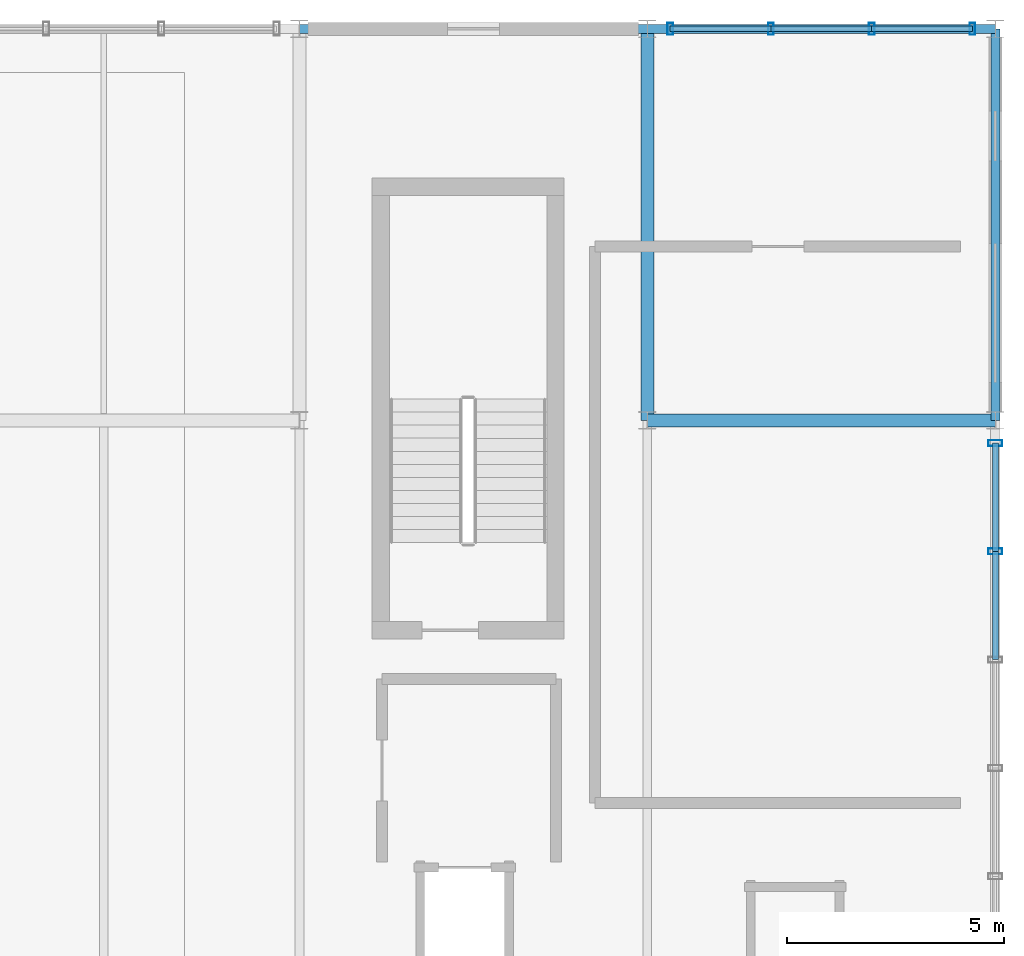
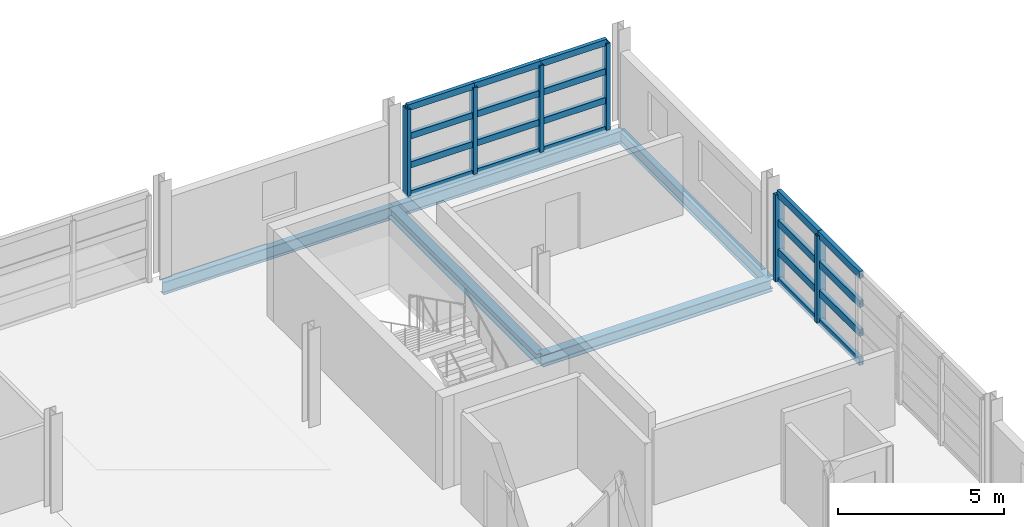
# One storey, part 82 of 116: 26 members, 5 beams, 2 elements without a shape of their own.
"""IFC4 building model written with IfcOpenShell, lengths in metres."""

from ifc_helpers import new_model, si_unit, direction, frame, origin, origin_2d, place, context, subcontext, project, spatial, hollow_rectangle, i_section, extrude, material, material_profile, profile_set, type_object, element, aggregate, save


model = new_model("IFC4")

# Units and contexts
model_context = context("Model", 3, precision=1e-05, world=origin(), true_north=direction((0.0, 1.0)))
body_context = subcontext(model_context, "Body", "Model", "MODEL_VIEW")
ifc_project = project(units=[si_unit("LENGTHUNIT", "METRE"), si_unit("AREAUNIT", "SQUARE_METRE"), si_unit("VOLUMEUNIT", "CUBIC_METRE"), si_unit("PLANEANGLEUNIT", "RADIAN"), si_unit("MASSUNIT", "GRAM", prefix="KILO")], contexts=[model_context])

# Site, building, storey
site_placement = place(None, origin())
site = spatial("IfcSite", under=ifc_project, at=site_placement, CompositionType="ELEMENT")
building_placement = place(site_placement, origin())
building = spatial("IfcBuilding", under=site, at=building_placement, Name="Chuanluo Vaults Station", CompositionType="ELEMENT")
storey_placement = place(building_placement, frame((0.0, 0.0, 10.800048828125)))
storey = spatial("IfcBuildingStorey", under=building, at=storey_placement, Name="L02", CompositionType="ELEMENT", Elevation=10.800048828125)

# Beams
ifc_material_1 = material(Name="Steel Q355C", Category="steel")
ifc_material_profile_1 = material_profile(ifc_material_1, i_section(OverallWidth=0.300048828125, OverallDepth=0.389892578125, WebThickness=0.010009765625, FlangeThickness=0.01611328125, FilletRadius=0.02001953125, at=origin_2d()))
ifc_profile_set_1 = profile_set([ifc_material_profile_1], Name="Steel Q355C")
beam_type_1 = type_object("IfcBeamType", Name="BM-GRD-400", PredefinedType="BEAM", material=ifc_profile_set_1)
beam_1_placement = place(storey_placement, frame((180.0, 117.0, -0.4150390625), z_axis=(0.0, 1.0, 0.0), x_axis=(-1.0, 0.0, 0.0)))
element("IfcBeam", 1, at=beam_1_placement, inside=storey, type_object=beam_type_1, Name="Floor girder BM:GY:L02:0698", PredefinedType="BEAM", context=body_context, shape_type="SweptSolid", body=[
    extrude(i_section(OverallWidth=0.300048828125, OverallDepth=0.389892578125, WebThickness=0.010009765625, FlangeThickness=0.01611328125, FilletRadius=0.02001953125, at=origin_2d()), origin(), (0.0, 0.0, 1.0), 9.0),
])
ifc_material_2 = material(Name="Steel Q355C", Category="steel")
ifc_material_profile_2 = material_profile(ifc_material_2, i_section(OverallWidth=0.300048828125, OverallDepth=0.43994140625, WebThickness=0.010986328125, FlangeThickness=0.01806640625, FilletRadius=0.02001953125, at=origin_2d()))
ifc_profile_set_2 = profile_set([ifc_material_profile_2], Name="Steel Q355C")
beam_type_2 = type_object("IfcBeamType", Name="BM-GRD-450", PredefinedType="USERDEFINED", material=ifc_profile_set_2)
beam_2_placement = place(storey_placement, frame((180.0, 117.0, -0.43994140625), z_axis=(1.0, 0.0, 0.0), x_axis=(0.0, 1.0, 0.0)))
element("IfcBeam", 2, at=beam_2_placement, inside=storey, type_object=beam_type_2, Name="Floor girder BM:GX:L02:0611", ObjectType="GIRDER", PredefinedType="USERDEFINED", context=body_context, shape_type="SweptSolid", body=[
    extrude(i_section(OverallWidth=0.300048828125, OverallDepth=0.43994140625, WebThickness=0.010986328125, FlangeThickness=0.01806640625, FilletRadius=0.02001953125, at=origin_2d()), origin(), (0.0, 0.0, 1.0), 8.0),
])
ifc_material_3 = material(Name="Steel Q355C", Category="steel")
ifc_material_profile_3 = material_profile(ifc_material_3, i_section(OverallWidth=0.205078125, OverallDepth=0.4599609375, WebThickness=0.009033203125, FlangeThickness=0.013916015625, FilletRadius=0.01611328125, at=origin_2d()))
ifc_profile_set_3 = profile_set([ifc_material_profile_3], Name="Steel Q355C")
beam_type_3 = type_object("IfcBeamType", Name="BM-SPN-450", PredefinedType="SPANDREL", material=ifc_profile_set_3)
for number, where, z_axis, x_axis, name in (
    (3, (172.0, 126.0, -0.449951171875), (1.0, 0.0, 0.0), (0.0, 1.0, 0.0), "Floor girder BM:GX:L02:0618"),
    (4, (180.0, 126.0, -0.449951171875), (1.0, 0.0, 0.0), (0.0, 1.0, 0.0), "Floor girder BM:GX:L02:0619"),
):
    element("IfcBeam", number, at=place(storey_placement, frame(where, z_axis=z_axis, x_axis=x_axis)), inside=storey, type_object=beam_type_3, Name=name, PredefinedType="SPANDREL", context=body_context, shape_type="SweptSolid", body=[
        extrude(i_section(OverallWidth=0.205078125, OverallDepth=0.4599609375, WebThickness=0.009033203125, FlangeThickness=0.013916015625, FilletRadius=0.01611328125, at=origin_2d()), origin(), (0.0, 0.0, 1.0), 8.0),
    ])
beam_3_placement = place(storey_placement, frame((188.0, 117.0, -0.449951171875), z_axis=(0.0, 1.0, 0.0), x_axis=(-1.0, 0.0, 0.0)))
element("IfcBeam", 5, at=beam_3_placement, inside=storey, type_object=beam_type_3, Name="Floor girder BM:GY:L02:0710", PredefinedType="SPANDREL", context=body_context, shape_type="SweptSolid", body=[
    extrude(i_section(OverallWidth=0.205078125, OverallDepth=0.4599609375, WebThickness=0.009033203125, FlangeThickness=0.013916015625, FilletRadius=0.01611328125, at=origin_2d()), origin(), (0.0, 0.0, 1.0), 9.0),
])

# Curtain wall, members
ifc_material_4 = material(Name="Anodised aluminium 6063-T6", Category="aluminium")
curtain_wall_type_1 = type_object("IfcCurtainWallType", Name="CW-SYS-14", PredefinedType="NOTDEFINED", material=ifc_material_4)
curtain_wall_1_placement = place(storey_placement, origin())
curtain_wall_1 = element("IfcCurtainWall", 6, at=curtain_wall_1_placement, inside=storey, type_object=curtain_wall_type_1, Name="Operations L02 facade CW", PredefinedType="NOTDEFINED")
ifc_material_5 = material(Name="Anodised aluminium 6063-T6", Category="aluminium")
ifc_material_profile_4 = material_profile(ifc_material_5, hollow_rectangle(XDim=0.1298828125, YDim=0.280029296875, WallThickness=0.007080078125, at=origin_2d()))
ifc_profile_set_4 = profile_set([ifc_material_profile_4], Name="Anodised aluminium 6063-T6")
member_type_1 = type_object("IfcMemberType", Name="CWM-180", PredefinedType="MULLION", material=ifc_profile_set_4)
member_1_placement = place(storey_placement, frame((180.52490234375, 126.0, 0.0), z_axis=(0.0, 0.0, 1.0), x_axis=(1.0, 0.0, 0.0)))
member_1 = element("IfcMember", 7, at=member_1_placement, type_object=member_type_1, Name="Operations L02 facade CW mullion 1", PredefinedType="MULLION", context=body_context, shape_type="SweptSolid", body=[
    extrude(hollow_rectangle(XDim=0.1298828125, YDim=0.280029296875, WallThickness=0.007080078125, at=origin_2d()), origin(), (0.0, 0.0, 1.0), 3.199951171875),
])
member_2_placement = place(storey_placement, frame((182.841796875, 126.0, 0.0), z_axis=(0.0, 0.0, 1.0), x_axis=(1.0, 0.0, 0.0)))
member_2 = element("IfcMember", 8, at=member_2_placement, type_object=member_type_1, Name="Operations L02 facade CW mullion 2", PredefinedType="MULLION", context=body_context, shape_type="SweptSolid", body=[
    extrude(hollow_rectangle(XDim=0.1298828125, YDim=0.280029296875, WallThickness=0.007080078125, at=origin_2d()), origin(), (0.0, 0.0, 1.0), 3.199951171875),
])
member_3_placement = place(storey_placement, frame((185.158203125, 126.0, 0.0), z_axis=(0.0, 0.0, 1.0), x_axis=(1.0, 0.0, 0.0)))
member_3 = element("IfcMember", 9, at=member_3_placement, type_object=member_type_1, Name="Operations L02 facade CW mullion 3", PredefinedType="MULLION", context=body_context, shape_type="SweptSolid", body=[
    extrude(hollow_rectangle(XDim=0.1298828125, YDim=0.280029296875, WallThickness=0.007080078125, at=origin_2d()), origin(), (0.0, 0.0, 1.0), 3.199951171875),
])
member_4_placement = place(storey_placement, frame((187.47509765625, 126.0, 0.0), z_axis=(0.0, 0.0, 1.0), x_axis=(1.0, 0.0, 0.0)))
member_4 = element("IfcMember", 10, at=member_4_placement, type_object=member_type_1, Name="Operations L02 facade CW mullion 4", PredefinedType="MULLION", context=body_context, shape_type="SweptSolid", body=[
    extrude(hollow_rectangle(XDim=0.1298828125, YDim=0.280029296875, WallThickness=0.007080078125, at=origin_2d()), origin(), (0.0, 0.0, 1.0), 3.199951171875),
])

ifc_material_6 = material(Name="Anodised aluminium 6063-T6", Category="aluminium")
curtain_wall_type_2 = type_object("IfcCurtainWallType", Name="CW-SYS-17", PredefinedType="NOTDEFINED", material=ifc_material_6)
curtain_wall_2_placement = place(storey_placement, origin())
curtain_wall_2 = element("IfcCurtainWall", 11, at=curtain_wall_2_placement, inside=storey, type_object=curtain_wall_type_2, Name="Operations L02 facade CW", PredefinedType="NOTDEFINED")
ifc_material_7 = material(Name="Anodised aluminium 6063-T6", Category="aluminium")
ifc_material_profile_5 = material_profile(ifc_material_7, hollow_rectangle(XDim=0.139892578125, YDim=0.320068359375, WallThickness=0.008056640625, at=origin_2d()))
ifc_profile_set_5 = profile_set([ifc_material_profile_5], Name="Anodised aluminium 6063-T6")
member_type_2 = type_object("IfcMemberType", Name="CWM-220", PredefinedType="MULLION", material=ifc_profile_set_5)
member_5_placement = place(storey_placement, frame((188.0, 116.47509765625, 0.0), z_axis=(0.0, 0.0, 1.0), x_axis=(0.0, -1.0, 0.0)))
member_5 = element("IfcMember", 12, at=member_5_placement, type_object=member_type_2, Name="Operations L02 facade CW mullion 1", PredefinedType="MULLION", context=body_context, shape_type="SweptSolid", body=[
    extrude(hollow_rectangle(XDim=0.139892578125, YDim=0.320068359375, WallThickness=0.008056640625, at=origin_2d()), origin(), (0.0, 0.0, 1.0), 3.199951171875),
])
member_6_placement = place(storey_placement, frame((188.0, 113.985107421875, 0.0), z_axis=(0.0, 0.0, 1.0), x_axis=(0.0, -1.0, 0.0)))
member_6 = element("IfcMember", 13, at=member_6_placement, type_object=member_type_2, Name="Operations L02 facade CW mullion 2", PredefinedType="MULLION", context=body_context, shape_type="SweptSolid", body=[
    extrude(hollow_rectangle(XDim=0.139892578125, YDim=0.320068359375, WallThickness=0.008056640625, at=origin_2d()), origin(), (0.0, 0.0, 1.0), 3.199951171875),
])

# Member
ifc_material_8 = material(Name="Anodised aluminium 6063-T6", Category="aluminium")
ifc_material_profile_6 = material_profile(ifc_material_8, hollow_rectangle(XDim=0.1298828125, YDim=0.22998046875, WallThickness=0.006103515625, at=origin_2d()))
ifc_profile_set_6 = profile_set([ifc_material_profile_6], Name="Anodised aluminium 6063-T6")
member_type_3 = type_object("IfcMemberType", Name="CWT-150", PredefinedType="USERDEFINED", material=ifc_profile_set_6)
member_7_placement = place(storey_placement, frame((180.52490234375, 126.0, 0.0), z_axis=(1.0, 0.0, 0.0), x_axis=(0.0, 1.0, 0.0)))
member_7 = element("IfcMember", 14, at=member_7_placement, type_object=member_type_3, Name="Operations L02 facade CW transom 1.1", ObjectType="TRANSOM", PredefinedType="USERDEFINED", context=body_context, shape_type="SweptSolid", body=[
    extrude(hollow_rectangle(XDim=0.1298828125, YDim=0.22998046875, WallThickness=0.006103515625, at=origin_2d()), origin(), (0.0, 0.0, 1.0), 2.31689453125),
])

member_8_placement = place(storey_placement, frame((180.52490234375, 126.0, 1.066650390625), z_axis=(1.0, 0.0, 0.0), x_axis=(0.0, 1.0, 0.0)))
member_8 = element("IfcMember", 15, at=member_8_placement, type_object=member_type_3, Name="Operations L02 facade CW transom 1.2", ObjectType="TRANSOM", PredefinedType="USERDEFINED", context=body_context, shape_type="SweptSolid", body=[
    extrude(hollow_rectangle(XDim=0.1298828125, YDim=0.22998046875, WallThickness=0.006103515625, at=origin_2d()), origin(), (0.0, 0.0, 1.0), 2.31689453125),
])

member_9_placement = place(storey_placement, frame((180.52490234375, 126.0, 2.13330078125), z_axis=(1.0, 0.0, 0.0), x_axis=(0.0, 1.0, 0.0)))
member_9 = element("IfcMember", 16, at=member_9_placement, type_object=member_type_3, Name="Operations L02 facade CW transom 1.3", ObjectType="TRANSOM", PredefinedType="USERDEFINED", context=body_context, shape_type="SweptSolid", body=[
    extrude(hollow_rectangle(XDim=0.1298828125, YDim=0.22998046875, WallThickness=0.006103515625, at=origin_2d()), origin(), (0.0, 0.0, 1.0), 2.31689453125),
])

member_10_placement = place(storey_placement, frame((180.52490234375, 126.0, 3.199951171875), z_axis=(1.0, 0.0, 0.0), x_axis=(0.0, 1.0, 0.0)))
member_10 = element("IfcMember", 17, at=member_10_placement, type_object=member_type_3, Name="Operations L02 facade CW transom 1.4", ObjectType="TRANSOM", PredefinedType="USERDEFINED", context=body_context, shape_type="SweptSolid", body=[
    extrude(hollow_rectangle(XDim=0.1298828125, YDim=0.22998046875, WallThickness=0.006103515625, at=origin_2d()), origin(), (0.0, 0.0, 1.0), 2.31689453125),
])

member_11_placement = place(storey_placement, frame((182.841796875, 126.0, 0.0), z_axis=(1.0, 0.0, 0.0), x_axis=(0.0, 1.0, 0.0)))
member_11 = element("IfcMember", 18, at=member_11_placement, type_object=member_type_3, Name="Operations L02 facade CW transom 2.1", ObjectType="TRANSOM", PredefinedType="USERDEFINED", context=body_context, shape_type="SweptSolid", body=[
    extrude(hollow_rectangle(XDim=0.1298828125, YDim=0.22998046875, WallThickness=0.006103515625, at=origin_2d()), origin(), (0.0, 0.0, 1.0), 2.31640625),
])

member_12_placement = place(storey_placement, frame((182.841796875, 126.0, 1.066650390625), z_axis=(1.0, 0.0, 0.0), x_axis=(0.0, 1.0, 0.0)))
member_12 = element("IfcMember", 19, at=member_12_placement, type_object=member_type_3, Name="Operations L02 facade CW transom 2.2", ObjectType="TRANSOM", PredefinedType="USERDEFINED", context=body_context, shape_type="SweptSolid", body=[
    extrude(hollow_rectangle(XDim=0.1298828125, YDim=0.22998046875, WallThickness=0.006103515625, at=origin_2d()), origin(), (0.0, 0.0, 1.0), 2.31640625),
])

member_13_placement = place(storey_placement, frame((182.841796875, 126.0, 2.13330078125), z_axis=(1.0, 0.0, 0.0), x_axis=(0.0, 1.0, 0.0)))
member_13 = element("IfcMember", 20, at=member_13_placement, type_object=member_type_3, Name="Operations L02 facade CW transom 2.3", ObjectType="TRANSOM", PredefinedType="USERDEFINED", context=body_context, shape_type="SweptSolid", body=[
    extrude(hollow_rectangle(XDim=0.1298828125, YDim=0.22998046875, WallThickness=0.006103515625, at=origin_2d()), origin(), (0.0, 0.0, 1.0), 2.31640625),
])

member_14_placement = place(storey_placement, frame((182.841796875, 126.0, 3.199951171875), z_axis=(1.0, 0.0, 0.0), x_axis=(0.0, 1.0, 0.0)))
member_14 = element("IfcMember", 21, at=member_14_placement, type_object=member_type_3, Name="Operations L02 facade CW transom 2.4", ObjectType="TRANSOM", PredefinedType="USERDEFINED", context=body_context, shape_type="SweptSolid", body=[
    extrude(hollow_rectangle(XDim=0.1298828125, YDim=0.22998046875, WallThickness=0.006103515625, at=origin_2d()), origin(), (0.0, 0.0, 1.0), 2.31640625),
])

member_15_placement = place(storey_placement, frame((185.158203125, 126.0, 0.0), z_axis=(1.0, 0.0, 0.0), x_axis=(0.0, 1.0, 0.0)))
member_15 = element("IfcMember", 22, at=member_15_placement, type_object=member_type_3, Name="Operations L02 facade CW transom 3.1", ObjectType="TRANSOM", PredefinedType="USERDEFINED", context=body_context, shape_type="SweptSolid", body=[
    extrude(hollow_rectangle(XDim=0.1298828125, YDim=0.22998046875, WallThickness=0.006103515625, at=origin_2d()), origin(), (0.0, 0.0, 1.0), 2.31689453125),
])

member_16_placement = place(storey_placement, frame((185.158203125, 126.0, 1.066650390625), z_axis=(1.0, 0.0, 0.0), x_axis=(0.0, 1.0, 0.0)))
member_16 = element("IfcMember", 23, at=member_16_placement, type_object=member_type_3, Name="Operations L02 facade CW transom 3.2", ObjectType="TRANSOM", PredefinedType="USERDEFINED", context=body_context, shape_type="SweptSolid", body=[
    extrude(hollow_rectangle(XDim=0.1298828125, YDim=0.22998046875, WallThickness=0.006103515625, at=origin_2d()), origin(), (0.0, 0.0, 1.0), 2.31689453125),
])

member_17_placement = place(storey_placement, frame((185.158203125, 126.0, 2.13330078125), z_axis=(1.0, 0.0, 0.0), x_axis=(0.0, 1.0, 0.0)))
member_17 = element("IfcMember", 24, at=member_17_placement, type_object=member_type_3, Name="Operations L02 facade CW transom 3.3", ObjectType="TRANSOM", PredefinedType="USERDEFINED", context=body_context, shape_type="SweptSolid", body=[
    extrude(hollow_rectangle(XDim=0.1298828125, YDim=0.22998046875, WallThickness=0.006103515625, at=origin_2d()), origin(), (0.0, 0.0, 1.0), 2.31689453125),
])

member_18_placement = place(storey_placement, frame((185.158203125, 126.0, 3.199951171875), z_axis=(1.0, 0.0, 0.0), x_axis=(0.0, 1.0, 0.0)))
member_18 = element("IfcMember", 25, at=member_18_placement, type_object=member_type_3, Name="Operations L02 facade CW transom 3.4", ObjectType="TRANSOM", PredefinedType="USERDEFINED", context=body_context, shape_type="SweptSolid", body=[
    extrude(hollow_rectangle(XDim=0.1298828125, YDim=0.22998046875, WallThickness=0.006103515625, at=origin_2d()), origin(), (0.0, 0.0, 1.0), 2.31689453125),
])

aggregate(curtain_wall_1, [member_1, member_2, member_3, member_4, member_7, member_8, member_9, member_10, member_11, member_12, member_13, member_14, member_15, member_16, member_17, member_18])

ifc_material_9 = material(Name="Anodised aluminium 6063-T6", Category="aluminium")
ifc_material_profile_7 = material_profile(ifc_material_9, hollow_rectangle(XDim=0.139892578125, YDim=0.260009765625, WallThickness=0.007080078125, at=origin_2d()))
ifc_profile_set_7 = profile_set([ifc_material_profile_7], Name="Anodised aluminium 6063-T6")
member_type_4 = type_object("IfcMemberType", Name="CWT-180", PredefinedType="USERDEFINED", material=ifc_profile_set_7)
member_19_placement = place(storey_placement, frame((188.0, 116.47509765625, 0.0), z_axis=(0.0, -1.0, 0.0), x_axis=(1.0, 0.0, 0.0)))
member_19 = element("IfcMember", 26, at=member_19_placement, type_object=member_type_4, Name="Operations L02 facade CW transom 1.1", ObjectType="TRANSOM", PredefinedType="USERDEFINED", context=body_context, shape_type="SweptSolid", body=[
    extrude(hollow_rectangle(XDim=0.139892578125, YDim=0.260009765625, WallThickness=0.007080078125, at=origin_2d()), origin(), (0.0, 0.0, 1.0), 2.489990234375),
])

member_20_placement = place(storey_placement, frame((188.0, 116.47509765625, 1.066650390625), z_axis=(0.0, -1.0, 0.0), x_axis=(1.0, 0.0, 0.0)))
member_20 = element("IfcMember", 27, at=member_20_placement, type_object=member_type_4, Name="Operations L02 facade CW transom 1.2", ObjectType="TRANSOM", PredefinedType="USERDEFINED", context=body_context, shape_type="SweptSolid", body=[
    extrude(hollow_rectangle(XDim=0.139892578125, YDim=0.260009765625, WallThickness=0.007080078125, at=origin_2d()), origin(), (0.0, 0.0, 1.0), 2.489990234375),
])

member_21_placement = place(storey_placement, frame((188.0, 116.47509765625, 2.13330078125), z_axis=(0.0, -1.0, 0.0), x_axis=(1.0, 0.0, 0.0)))
member_21 = element("IfcMember", 28, at=member_21_placement, type_object=member_type_4, Name="Operations L02 facade CW transom 1.3", ObjectType="TRANSOM", PredefinedType="USERDEFINED", context=body_context, shape_type="SweptSolid", body=[
    extrude(hollow_rectangle(XDim=0.139892578125, YDim=0.260009765625, WallThickness=0.007080078125, at=origin_2d()), origin(), (0.0, 0.0, 1.0), 2.489990234375),
])

member_22_placement = place(storey_placement, frame((188.0, 116.47509765625, 3.199951171875), z_axis=(0.0, -1.0, 0.0), x_axis=(1.0, 0.0, 0.0)))
member_22 = element("IfcMember", 29, at=member_22_placement, type_object=member_type_4, Name="Operations L02 facade CW transom 1.4", ObjectType="TRANSOM", PredefinedType="USERDEFINED", context=body_context, shape_type="SweptSolid", body=[
    extrude(hollow_rectangle(XDim=0.139892578125, YDim=0.260009765625, WallThickness=0.007080078125, at=origin_2d()), origin(), (0.0, 0.0, 1.0), 2.489990234375),
])

member_23_placement = place(storey_placement, frame((188.0, 113.985107421875, 0.0), z_axis=(0.0, -1.0, 0.0), x_axis=(1.0, 0.0, 0.0)))
member_23 = element("IfcMember", 30, at=member_23_placement, type_object=member_type_4, Name="Operations L02 facade CW transom 2.1", ObjectType="TRANSOM", PredefinedType="USERDEFINED", context=body_context, shape_type="SweptSolid", body=[
    extrude(hollow_rectangle(XDim=0.139892578125, YDim=0.260009765625, WallThickness=0.007080078125, at=origin_2d()), origin(), (0.0, 0.0, 1.0), 2.489990234375),
])

member_24_placement = place(storey_placement, frame((188.0, 113.985107421875, 1.066650390625), z_axis=(0.0, -1.0, 0.0), x_axis=(1.0, 0.0, 0.0)))
member_24 = element("IfcMember", 31, at=member_24_placement, type_object=member_type_4, Name="Operations L02 facade CW transom 2.2", ObjectType="TRANSOM", PredefinedType="USERDEFINED", context=body_context, shape_type="SweptSolid", body=[
    extrude(hollow_rectangle(XDim=0.139892578125, YDim=0.260009765625, WallThickness=0.007080078125, at=origin_2d()), origin(), (0.0, 0.0, 1.0), 2.489990234375),
])

member_25_placement = place(storey_placement, frame((188.0, 113.985107421875, 2.13330078125), z_axis=(0.0, -1.0, 0.0), x_axis=(1.0, 0.0, 0.0)))
member_25 = element("IfcMember", 32, at=member_25_placement, type_object=member_type_4, Name="Operations L02 facade CW transom 2.3", ObjectType="TRANSOM", PredefinedType="USERDEFINED", context=body_context, shape_type="SweptSolid", body=[
    extrude(hollow_rectangle(XDim=0.139892578125, YDim=0.260009765625, WallThickness=0.007080078125, at=origin_2d()), origin(), (0.0, 0.0, 1.0), 2.489990234375),
])

member_26_placement = place(storey_placement, frame((188.0, 113.985107421875, 3.199951171875), z_axis=(0.0, -1.0, 0.0), x_axis=(1.0, 0.0, 0.0)))
member_26 = element("IfcMember", 33, at=member_26_placement, type_object=member_type_4, Name="Operations L02 facade CW transom 2.4", ObjectType="TRANSOM", PredefinedType="USERDEFINED", context=body_context, shape_type="SweptSolid", body=[
    extrude(hollow_rectangle(XDim=0.139892578125, YDim=0.260009765625, WallThickness=0.007080078125, at=origin_2d()), origin(), (0.0, 0.0, 1.0), 2.489990234375),
])

aggregate(curtain_wall_2, [member_5, member_6, member_19, member_20, member_21, member_22, member_23, member_24, member_25, member_26])

save(model, "model.ifc")
